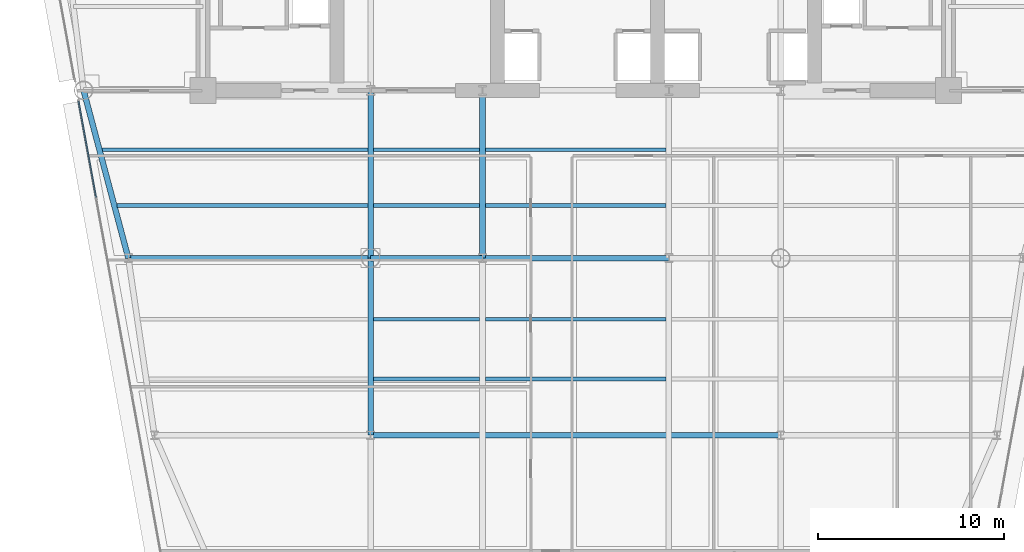
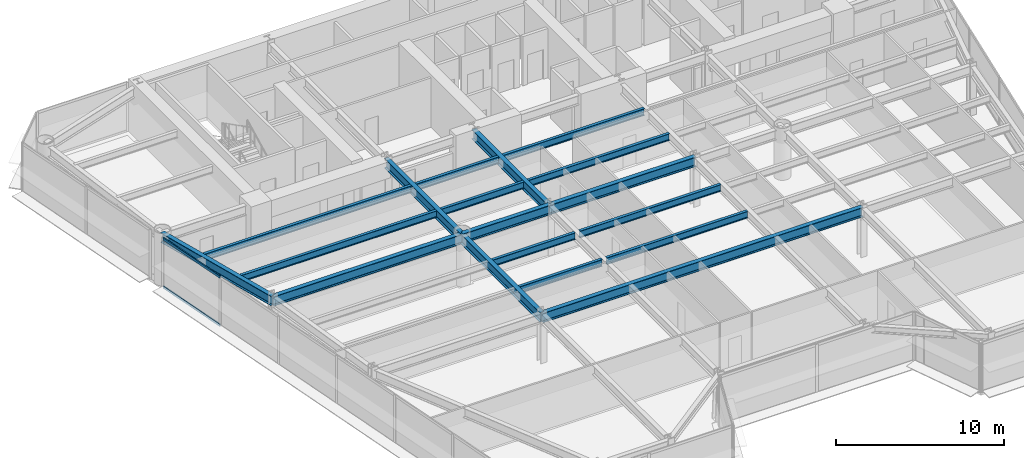
# One storey, part 3 of 14: 18 beams, 2 members, 1 element without a shape of its own.
"""IFC4 building model written with IfcOpenShell, lengths in metres."""

from ifc_helpers import new_model, si_unit, direction, frame, origin, origin_2d, place, context, subcontext, project, spatial, rectangle, i_section, extrude, source, transform, mapped, material, layer, layer_set, material_profile, profile_set, type_object, element, aggregate, save


model = new_model("IFC4")

# Units and contexts
model_context = context("Model", 3, precision=1e-05, world=origin(), true_north=direction((0.0, 1.0)))
body_context = subcontext(model_context, "Body", "Model", "MODEL_VIEW")
ifc_project = project(units=[si_unit("LENGTHUNIT", "METRE"), si_unit("AREAUNIT", "SQUARE_METRE"), si_unit("VOLUMEUNIT", "CUBIC_METRE"), si_unit("PLANEANGLEUNIT", "RADIAN"), si_unit("MASSUNIT", "GRAM", prefix="KILO")], contexts=[model_context])

# Site, building, storey
site_placement = place(None, origin())
site = spatial("IfcSite", under=ifc_project, at=site_placement, CompositionType="ELEMENT")
building_placement = place(site_placement, origin())
building = spatial("IfcBuilding", under=site, at=building_placement, Name="Vaeldorn Concourse Tower", CompositionType="ELEMENT")
storey_placement = place(building_placement, frame((0.0, 0.0, 111.0)))
storey = spatial("IfcBuildingStorey", under=building, at=storey_placement, Name="L28", CompositionType="ELEMENT", Elevation=111.0)

# Beams
ifc_material_1 = material(Name="Steel S355", Category="steel")
ifc_material_profile_1 = material_profile(ifc_material_1, i_section(OverallWidth=0.199951171875, OverallDepth=0.5, WebThickness=0.01025390625, FlangeThickness=0.01611328125, FilletRadius=0.02099609375, at=origin_2d()), Name="IPE 500")
ifc_profile_set_1 = profile_set([ifc_material_profile_1], Name="Steel S355")
beam_type_1 = type_object("IfcBeamType", Name="BM-JS-IPE500", PredefinedType="JOIST", material=ifc_profile_set_1)
shared_shape_1 = source(origin(), body_context, "Body", "SweptSolid", [
    extrude(i_section(OverallWidth=0.199951171875, OverallDepth=0.5, WebThickness=0.01025390625, FlangeThickness=0.01611328125, FilletRadius=0.02099609375, at=origin_2d()), origin(), (0.0, 0.0, 1.0), 5.7001953125),
])
for number, where, z_axis, x_axis, name in (
    (1, (23.14990234375, 21.02001953125, 3.330078125), (1.0, 0.0, 0.0), (0.0, 1.0, 0.0), "Beam JS-L28-W2-210"),
    (2, (23.14990234375, 24.219970703125, 3.330078125), (1.0, 0.0, 0.0), (0.0, 1.0, 0.0), "Beam JS-L28-W2-242"),
    (3, (23.14990234375, 30.320068359375, 3.330078125), (1.0, 0.0, 0.0), (0.0, 1.0, 0.0), "Beam JS-L28-W2-303"),
    (4, (23.14990234375, 33.320068359375, 3.330078125), (1.0, 0.0, 0.0), (0.0, 1.0, 0.0), "Beam JS-L28-W2-333"),
):
    element("IfcBeam", number, at=place(storey_placement, frame(where, z_axis=z_axis, x_axis=x_axis)), inside=storey, type_object=beam_type_1, Name=name, PredefinedType="JOIST", context=body_context, shape_type="MappedRepresentation", body=[
        mapped(shared_shape_1, transform((0.0, 0.0, 0.0), scale=1.0)),
    ])
shared_shape_2 = source(origin(), body_context, "Body", "SweptSolid", [
    extrude(i_section(OverallWidth=0.199951171875, OverallDepth=0.5, WebThickness=0.01025390625, FlangeThickness=0.01611328125, FilletRadius=0.02099609375, at=origin_2d()), origin(), (0.0, 0.0, 1.0), 9.7001953125),
])
for number, where, z_axis, x_axis, name in (
    (5, (29.14990234375, 21.02001953125, 3.330078125), (1.0, 0.0, 0.0), (0.0, 1.0, 0.0), "Beam JS-L28-C-210"),
    (6, (29.14990234375, 24.219970703125, 3.330078125), (1.0, 0.0, 0.0), (0.0, 1.0, 0.0), "Beam JS-L28-C-242"),
    (7, (29.14990234375, 30.320068359375, 3.330078125), (1.0, 0.0, 0.0), (0.0, 1.0, 0.0), "Beam JS-L28-C-303"),
    (8, (29.14990234375, 33.320068359375, 3.330078125), (1.0, 0.0, 0.0), (0.0, 1.0, 0.0), "Beam JS-L28-C-333"),
):
    element("IfcBeam", number, at=place(storey_placement, frame(where, z_axis=z_axis, x_axis=x_axis)), inside=storey, type_object=beam_type_1, Name=name, PredefinedType="JOIST", context=body_context, shape_type="MappedRepresentation", body=[
        mapped(shared_shape_2, transform((0.0, 0.0, 0.0), scale=1.0)),
    ])
shared_shape_3 = source(origin(), body_context, "Body", "SweptSolid", [
    extrude(i_section(OverallWidth=0.199951171875, OverallDepth=0.5, WebThickness=0.01025390625, FlangeThickness=0.01611328125, FilletRadius=0.02099609375, at=origin_2d()), origin(), (0.0, 0.0, 1.0), 13.4521484375),
])
beam_1_placement = place(storey_placement, frame((9.39794921875, 30.320068359375, 3.330078125), z_axis=(1.0, 0.0, 0.0), x_axis=(0.0, 1.0, 0.0)))
element("IfcBeam", 9, at=beam_1_placement, inside=storey, type_object=beam_type_1, Name="Beam JS-L28-W1-303", PredefinedType="JOIST", context=body_context, shape_type="MappedRepresentation", body=[
    mapped(shared_shape_3, transform((0.0, 0.0, 0.0), scale=1.0)),
])
shared_shape_4 = source(origin(), body_context, "Body", "SweptSolid", [
    extrude(i_section(OverallWidth=0.199951171875, OverallDepth=0.5, WebThickness=0.01025390625, FlangeThickness=0.01611328125, FilletRadius=0.02099609375, at=origin_2d()), origin(), (0.0, 0.0, 1.0), 14.252197265625),
])
beam_2_placement = place(storey_placement, frame((8.597900390625, 33.320068359375, 3.330078125), z_axis=(1.0, 0.0, 0.0), x_axis=(0.0, 1.0, 0.0)))
element("IfcBeam", 10, at=beam_2_placement, inside=storey, type_object=beam_type_1, Name="Beam JS-L28-W1-333", PredefinedType="JOIST", context=body_context, shape_type="MappedRepresentation", body=[
    mapped(shared_shape_4, transform((0.0, 0.0, 0.0), scale=1.0)),
])
ifc_material_profile_2 = material_profile(ifc_material_1, i_section(OverallWidth=0.300048828125, OverallDepth=0.699951171875, WebThickness=0.01708984375, FlangeThickness=0.031982421875, FilletRadius=0.027099609375, at=origin_2d()), Name="HEB 700")
ifc_profile_set_2 = profile_set([ifc_material_profile_2], Name="Steel S355")
beam_type_2 = type_object("IfcBeamType", Name="BM-PG-HEB700", PredefinedType="BEAM", material=ifc_profile_set_2)
shared_shape_5 = source(origin(), body_context, "Body", "SweptSolid", [
    extrude(i_section(OverallWidth=0.300048828125, OverallDepth=0.699951171875, WebThickness=0.01708984375, FlangeThickness=0.031982421875, FilletRadius=0.027099609375, at=origin_2d()), origin(), (0.0, 0.0, 1.0), 6.0),
])
beam_3_placement = place(storey_placement, frame((23.0, 27.5, 3.22998046875), z_axis=(1.0, 0.0, 0.0), x_axis=(0.0, 1.0, 0.0)))
element("IfcBeam", 11, at=beam_3_placement, inside=storey, type_object=beam_type_2, Name="Beam BM-L28-C-TW1-C-TW2", PredefinedType="BEAM", context=body_context, shape_type="MappedRepresentation", body=[
    mapped(shared_shape_5, transform((0.0, 0.0, 0.0), scale=1.0)),
])
shared_shape_6 = source(origin(), body_context, "Body", "SweptSolid", [
    extrude(i_section(OverallWidth=0.300048828125, OverallDepth=0.699951171875, WebThickness=0.01708984375, FlangeThickness=0.031982421875, FilletRadius=0.027099609375, at=origin_2d()), origin(), (0.0, 0.0, 1.0), 10.0),
])
beam_4_placement = place(storey_placement, frame((29.0, 27.5, 3.22998046875), z_axis=(1.0, 0.0, 0.0), x_axis=(0.0, 1.0, 0.0)))
element("IfcBeam", 12, at=beam_4_placement, inside=storey, type_object=beam_type_2, Name="Beam BM-L28-C-TW2-C-TW3", PredefinedType="BEAM", context=body_context, shape_type="MappedRepresentation", body=[
    mapped(shared_shape_6, transform((0.0, 0.0, 0.0), scale=1.0)),
])
shared_shape_7 = source(origin(), body_context, "Body", "SweptSolid", [
    extrude(i_section(OverallWidth=0.300048828125, OverallDepth=0.699951171875, WebThickness=0.01708984375, FlangeThickness=0.031982421875, FilletRadius=0.027099609375, at=origin_2d()), origin(), (0.0, 0.0, 1.0), 9.0),
])
for number, where, z_axis, x_axis, name in (
    (13, (23.0, 27.5, 3.22998046875), (0.0, 1.0, 0.0), (-1.0, 0.0, 0.0), "Beam BM-L28-C-TW1-C-FC2"),
    (14, (29.0, 27.5, 3.22998046875), (0.0, 1.0, 0.0), (-1.0, 0.0, 0.0), "Beam BM-L28-C-TW2-C-FC3"),
):
    element("IfcBeam", number, at=place(storey_placement, frame(where, z_axis=z_axis, x_axis=x_axis)), inside=storey, type_object=beam_type_2, Name=name, PredefinedType="BEAM", context=body_context, shape_type="MappedRepresentation", body=[
        mapped(shared_shape_7, transform((0.0, 0.0, 0.0), scale=1.0)),
    ])
shared_shape_8 = source(origin(), body_context, "Body", "SweptSolid", [
    extrude(i_section(OverallWidth=0.300048828125, OverallDepth=0.699951171875, WebThickness=0.01708984375, FlangeThickness=0.031982421875, FilletRadius=0.027099609375, at=origin_2d()), origin(), (0.0, 0.0, 1.0), 9.314453125),
])
beam_5_placement = place(storey_placement, frame((7.60009765625, 36.5, 3.22998046875), z_axis=(0.257652862255, -0.966237549763, 0.0), x_axis=(0.966237549763, 0.257652862255, 0.0)))
element("IfcBeam", 15, at=beam_5_placement, inside=storey, type_object=beam_type_2, Name="Beam BM-L28-C-NW2-C-FLW1", PredefinedType="BEAM", context=body_context, shape_type="MappedRepresentation", body=[
    mapped(shared_shape_8, transform((0.0, 0.0, 0.0), scale=1.0)),
])
shared_shape_9 = source(origin(), body_context, "Body", "SweptSolid", [
    extrude(i_section(OverallWidth=0.300048828125, OverallDepth=0.699951171875, WebThickness=0.01708984375, FlangeThickness=0.031982421875, FilletRadius=0.027099609375, at=origin_2d()), origin(), (0.0, 0.0, 1.0), 13.0),
])
beam_6_placement = place(storey_placement, frame((10.0, 27.5, 3.22998046875), z_axis=(1.0, 0.0, 0.0), x_axis=(0.0, 1.0, 0.0)))
element("IfcBeam", 16, at=beam_6_placement, inside=storey, type_object=beam_type_2, Name="Beam BM-L28-C-FLW1-C-TW1", PredefinedType="BEAM", context=body_context, shape_type="MappedRepresentation", body=[
    mapped(shared_shape_9, transform((0.0, 0.0, 0.0), scale=1.0)),
])
shared_shape_10 = source(origin(), body_context, "Body", "SweptSolid", [
    extrude(i_section(OverallWidth=0.300048828125, OverallDepth=0.699951171875, WebThickness=0.01708984375, FlangeThickness=0.031982421875, FilletRadius=0.027099609375, at=origin_2d()), origin(), (0.0, 0.0, 1.0), 22.0),
])
beam_7_placement = place(storey_placement, frame((23.0, 18.0, 3.22998046875), z_axis=(1.0, 0.0, 0.0), x_axis=(0.0, 1.0, 0.0)))
element("IfcBeam", 17, at=beam_7_placement, inside=storey, type_object=beam_type_2, Name="Beam BM-L28-C-TW5-C-TW6", PredefinedType="BEAM", context=body_context, shape_type="MappedRepresentation", body=[
    mapped(shared_shape_10, transform((0.0, 0.0, 0.0), scale=1.0)),
])
shared_shape_11 = source(origin(), body_context, "Body", "SweptSolid", [
    extrude(i_section(OverallWidth=0.300048828125, OverallDepth=0.699951171875, WebThickness=0.01708984375, FlangeThickness=0.031982421875, FilletRadius=0.027099609375, at=origin_2d()), origin(), (0.0, 0.0, 1.0), 9.5),
])
beam_8_placement = place(storey_placement, frame((23.0, 18.0, 3.22998046875), z_axis=(0.0, 1.0, 0.0), x_axis=(-1.0, 0.0, 0.0)))
element("IfcBeam", 18, at=beam_8_placement, inside=storey, type_object=beam_type_2, Name="Beam BM-L28-C-TW5-C-TW1", PredefinedType="BEAM", context=body_context, shape_type="MappedRepresentation", body=[
    mapped(shared_shape_11, transform((0.0, 0.0, 0.0), scale=1.0)),
])

# Curtain wall, members
ifc_material_2 = material(Name="Anodised Bronze Aluminium", Category="aluminium")
ifc_layer = layer(ifc_material_2, 0.199951171875)
ifc_layer_set = layer_set([ifc_layer], Name="Anodised Bronze Aluminium")
curtain_wall_type = type_object("IfcCurtainWallType", Name="CW-SYS-02", PredefinedType="NOTDEFINED", material=ifc_layer_set)
curtain_wall_placement = place(storey_placement, origin())
curtain_wall = element("IfcCurtainWall", 19, at=curtain_wall_placement, inside=storey, type_object=curtain_wall_type, Name="Unitised Curtain Wall CW-L28-E11-2", PredefinedType="NOTDEFINED")
ifc_material_profile_3 = material_profile(ifc_material_2, rectangle(XDim=0.074951171875, YDim=0.179931640625, at=origin_2d()), Name="CWT 75x180")
ifc_profile_set_3 = profile_set([ifc_material_profile_3], Name="Anodised Bronze Aluminium")
member_type = type_object("IfcMemberType", Name="CWT-BRONZE-180", PredefinedType="USERDEFINED", material=ifc_profile_set_3)
shared_shape_12 = source(origin(), body_context, "Body", "SweptSolid", [
    extrude(rectangle(XDim=0.074951171875, YDim=0.179931640625, at=origin_2d()), origin(), (0.0, 0.0, 1.0), 5.22900390625),
])
member_1_placement = place(storey_placement, frame((7.330078125, 35.908203125, 0.03759765625), z_axis=(0.17919769448, -0.983813085039, 0.0), x_axis=(0.983813085039, 0.17919769448, 0.0)))
member_1 = element("IfcMember", 20, at=member_1_placement, type_object=member_type, Name="CW-02 transom 1.1", ObjectType="TRANSOM", PredefinedType="USERDEFINED", context=body_context, shape_type="MappedRepresentation", body=[
    mapped(shared_shape_12, transform((0.0, 0.0, 0.0), scale=1.0)),
])
member_2_placement = place(storey_placement, frame((7.330078125, 35.908203125, 3.54248046875), z_axis=(0.17919769448, -0.983813085039, 0.0), x_axis=(0.983813085039, 0.17919769448, 0.0)))
member_2 = element("IfcMember", 21, at=member_2_placement, type_object=member_type, Name="CW-02 transom 1.2", ObjectType="TRANSOM", PredefinedType="USERDEFINED", context=body_context, shape_type="MappedRepresentation", body=[
    mapped(shared_shape_12, transform((0.0, 0.0, 0.0), scale=1.0)),
])
aggregate(curtain_wall, [member_1, member_2])

save(model, "model.ifc")
